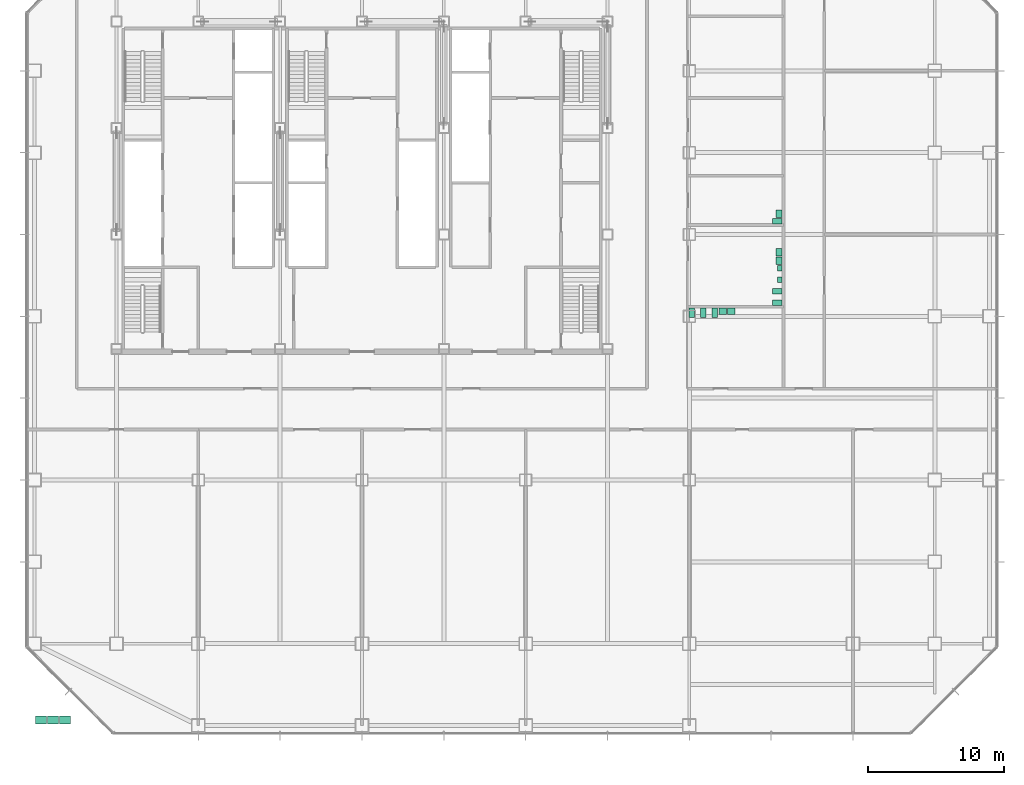
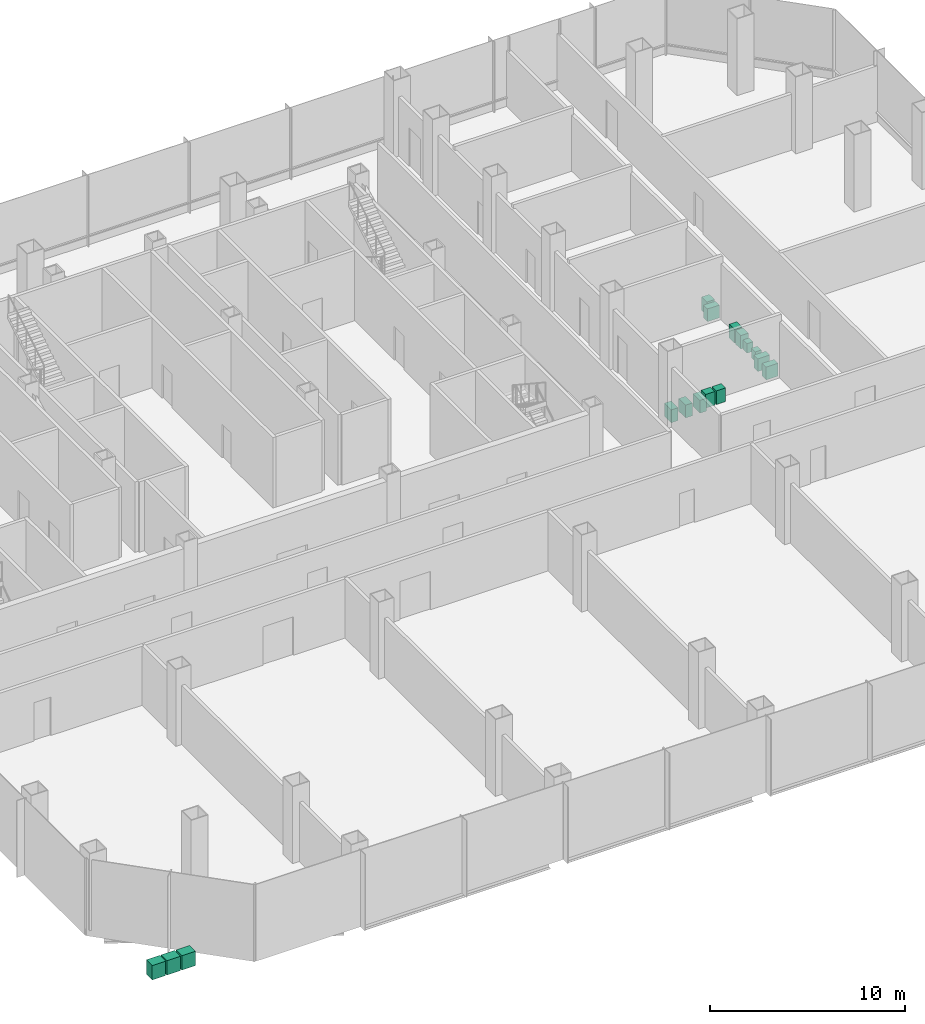
# One storey, part 33 of 33: 16 sanitary terminals.
"""IFC4 building model written with IfcOpenShell, lengths in metres."""

from ifc_helpers import new_model, si_unit, direction, frame, origin, origin_2d, place, context, subcontext, project, spatial, rectangle, extrude, element, save


model = new_model("IFC4")

# Units and contexts
model_context = context("Model", 3, precision=1e-05, world=origin(), true_north=direction((0.0, 1.0)))
body_context = subcontext(model_context, "Body", "Model", "MODEL_VIEW")
ifc_project = project(units=[si_unit("LENGTHUNIT", "METRE"), si_unit("AREAUNIT", "SQUARE_METRE"), si_unit("VOLUMEUNIT", "CUBIC_METRE"), si_unit("PLANEANGLEUNIT", "RADIAN"), si_unit("MASSUNIT", "GRAM", prefix="KILO")], contexts=[model_context])

# Site, building, storey
site_placement = place(None, origin())
site = spatial("IfcSite", under=ifc_project, at=site_placement, CompositionType="ELEMENT")
building_placement = place(site_placement, origin())
building = spatial("IfcBuilding", under=site, at=building_placement, Name="Sorahane Residences", CompositionType="ELEMENT")
storey_placement = place(building_placement, frame((0.0, 0.0, 34.800048828125)))
storey = spatial("IfcBuildingStorey", under=building, at=storey_placement, Name="L05", CompositionType="ELEMENT", Elevation=34.800048828125)

# Sanitary terminals
for number, where, z_axis, x_axis, name in (
    (1, (0.47998046875, -5.60009765625, 0.0), (0.0, 0.0, 1.0), (-1.0, 0.0, 0.0), "Kitchen sink Banquet kitchen 05"),
    (2, (1.360107421875, -5.60009765625, 0.0), (0.0, 0.0, 1.0), (-1.0, 0.0, 0.0), "Kitchen sink Banquet kitchen 05"),
    (3, (2.239990234375, -5.60009765625, 0.0), (0.0, 0.0, 1.0), (-1.0, 0.0, 0.0), "Kitchen sink Banquet kitchen 05"),
):
    element("IfcSanitaryTerminal", number, at=place(storey_placement, frame(where, z_axis=z_axis, x_axis=x_axis)), inside=storey, Name=name, PredefinedType="SINK", context=body_context, shape_type="SweptSolid", body=[
        extrude(rectangle(XDim=0.800048828125, YDim=0.60009765625, at=origin_2d()), origin(), (0.0, 0.0, 1.0), 0.89990234375),
    ])
for number, where, z_axis, x_axis, name in (
    (4, (48.179931640625, 24.25, 0.0), (0.0, 0.0, 1.0), (1.0, 0.0, 0.0), "WC pan Women's toilets 05"),
    (5, (49.030029296875, 24.25, 0.0), (0.0, 0.0, 1.0), (1.0, 0.0, 0.0), "WC pan Women's toilets 05"),
    (6, (49.8798828125, 24.25, 0.0), (0.0, 0.0, 1.0), (1.0, 0.0, 0.0), "WC pan Women's toilets 05"),
):
    element("IfcSanitaryTerminal", number, at=place(storey_placement, frame(where, z_axis=z_axis, x_axis=x_axis)), inside=storey, Name=name, PredefinedType="TOILETPAN", context=body_context, shape_type="SweptSolid", body=[
        extrude(rectangle(XDim=0.39990234375, YDim=0.699951171875, at=origin_2d()), origin(), (0.0, 0.0, 1.0), 0.800048828125),
    ])
for number, where, z_axis, x_axis, name in (
    (7, (50.43505859375, 24.375, 0.0), (0.0, 0.0, 1.0), (1.0, 0.0, 0.0), "Wash basin Women's toilets 05"),
    (8, (51.06494140625, 24.375, 0.0), (0.0, 0.0, 1.0), (1.0, 0.0, 0.0), "Wash basin Women's toilets 05"),
):
    element("IfcSanitaryTerminal", number, at=place(storey_placement, frame(where, z_axis=z_axis, x_axis=x_axis)), inside=storey, Name=name, PredefinedType="WASHHANDBASIN", context=body_context, shape_type="SweptSolid", body=[
        extrude(rectangle(XDim=0.550048828125, YDim=0.449951171875, at=origin_2d()), origin(), (0.0, 0.0, 1.0), 0.85009765625),
    ])
for number, where, z_axis, x_axis, name in (
    (9, (54.449951171875, 24.97998046875, 0.0), (0.0, 0.0, 1.0), (0.0, -1.0, 0.0), "WC pan Men's toilets 05"),
    (10, (54.449951171875, 25.830078125, 0.0), (0.0, 0.0, 1.0), (0.0, -1.0, 0.0), "WC pan Men's toilets 05"),
):
    element("IfcSanitaryTerminal", number, at=place(storey_placement, frame(where, z_axis=z_axis, x_axis=x_axis)), inside=storey, Name=name, PredefinedType="TOILETPAN", context=body_context, shape_type="SweptSolid", body=[
        extrude(rectangle(XDim=0.39990234375, YDim=0.699951171875, at=origin_2d()), origin(), (0.0, 0.0, 1.0), 0.800048828125),
    ])
for number, where, z_axis, x_axis, name in (
    (11, (54.625, 26.679931640625, 0.0), (0.0, 0.0, 1.0), (0.0, -1.0, 0.0), "Urinal Men's toilets 05"),
    (12, (54.625, 27.530029296875, 0.0), (0.0, 0.0, 1.0), (0.0, -1.0, 0.0), "Urinal Men's toilets 05"),
):
    element("IfcSanitaryTerminal", number, at=place(storey_placement, frame(where, z_axis=z_axis, x_axis=x_axis)), inside=storey, Name=name, PredefinedType="URINAL", context=body_context, shape_type="SweptSolid", body=[
        extrude(rectangle(XDim=0.39990234375, YDim=0.35009765625, at=origin_2d()), origin(), (0.0, 0.0, 1.0), 0.60009765625),
    ])
for number, where, z_axis, x_axis, name in (
    (13, (54.574951171875, 28.0849609375, 0.0), (0.0, 0.0, 1.0), (0.0, -1.0, 0.0), "Wash basin Men's toilets 05"),
    (14, (54.574951171875, 28.715087890625, 0.0), (0.0, 0.0, 1.0), (0.0, -1.0, 0.0), "Wash basin Men's toilets 05"),
):
    element("IfcSanitaryTerminal", number, at=place(storey_placement, frame(where, z_axis=z_axis, x_axis=x_axis)), inside=storey, Name=name, PredefinedType="WASHHANDBASIN", context=body_context, shape_type="SweptSolid", body=[
        extrude(rectangle(XDim=0.550048828125, YDim=0.449951171875, at=origin_2d()), origin(), (0.0, 0.0, 1.0), 0.85009765625),
    ])
sanitary_terminal_1_placement = place(storey_placement, frame((54.449951171875, 30.97998046875, 0.0), z_axis=(0.0, 0.0, 1.0), x_axis=(0.0, -1.0, 0.0)))
element("IfcSanitaryTerminal", 15, at=sanitary_terminal_1_placement, inside=storey, Name="WC pan Accessible toilets 05", PredefinedType="TOILETPAN", context=body_context, shape_type="SweptSolid", body=[
    extrude(rectangle(XDim=0.39990234375, YDim=0.699951171875, at=origin_2d()), origin(), (0.0, 0.0, 1.0), 0.800048828125),
])
sanitary_terminal_2_placement = place(storey_placement, frame((54.574951171875, 31.534912109375, 0.0), z_axis=(0.0, 0.0, 1.0), x_axis=(0.0, -1.0, 0.0)))
element("IfcSanitaryTerminal", 16, at=sanitary_terminal_2_placement, inside=storey, Name="Wash basin Accessible toilets 05", PredefinedType="WASHHANDBASIN", context=body_context, shape_type="SweptSolid", body=[
    extrude(rectangle(XDim=0.550048828125, YDim=0.449951171875, at=origin_2d()), origin(), (0.0, 0.0, 1.0), 0.85009765625),
])

save(model, "model.ifc")
